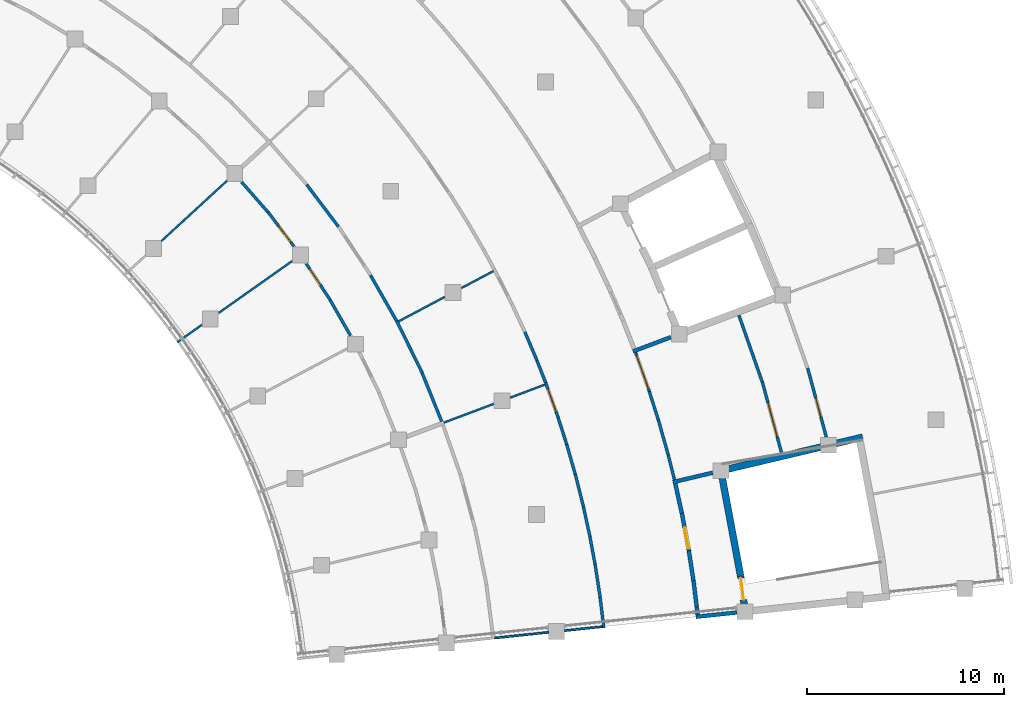
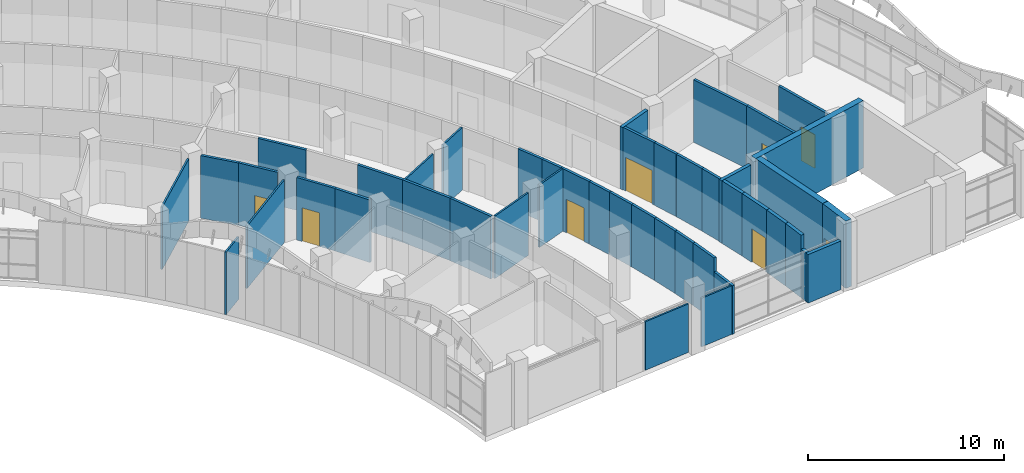
# One storey, part 66 of 137: 45 walls, 8 doors, 8 openings.
"""IFC4 building model written with IfcOpenShell, lengths in metres."""

from ifc_helpers import new_model, si_unit, direction, frame, frame_2d, origin, place, context, subcontext, project, spatial, rectangle, extrude, material, layer, layer_set, type_object, element, fill, save


model = new_model("IFC4")

# Units and contexts
model_context = context("Model", 3, precision=1e-05, world=origin(), true_north=direction((0.0, 1.0)))
body_context = subcontext(model_context, "Body", "Model", "MODEL_VIEW")
ifc_project = project(units=[si_unit("LENGTHUNIT", "METRE"), si_unit("AREAUNIT", "SQUARE_METRE"), si_unit("VOLUMEUNIT", "CUBIC_METRE"), si_unit("PLANEANGLEUNIT", "RADIAN"), si_unit("MASSUNIT", "GRAM", prefix="KILO")], contexts=[model_context])

# Site, building, storey
site_placement = place(None, origin())
site = spatial("IfcSite", under=ifc_project, at=site_placement, CompositionType="ELEMENT")
building_placement = place(site_placement, origin())
building = spatial("IfcBuilding", under=site, at=building_placement, Name="Bougainvillea Quay General Hospital", CompositionType="ELEMENT")
storey_placement = place(building_placement, frame((0.0, 0.0, 16.800048828125)))
storey = spatial("IfcBuildingStorey", under=building, at=storey_placement, Name="L03", CompositionType="ELEMENT", Elevation=16.800048828125)

# Walls
ifc_material_1 = material(Name="Gypsum board partition on steel studs", Category="steel")
ifc_layer_1 = layer(ifc_material_1, 0.10009765625)
ifc_layer_set_1 = layer_set([ifc_layer_1], Name="Gypsum board partition on steel studs")
wall_type_1 = type_object("IfcWallType", Name="Partition 100 Gypsum board partition", PredefinedType="PARTITIONING", material=ifc_layer_set_1)
wall_1_placement = place(storey_placement, frame((153.008544921875, 26.60791015625, 0.0), z_axis=(0.0, 0.0, 1.0), x_axis=(0.99452300046, 0.104517948486, 0.0)))
element("IfcWall", 1, at=wall_1_placement, inside=storey, type_object=wall_type_1, Name="Partition 100 mm", PredefinedType="PARTITIONING", context=body_context, shape_type="SweptSolid", body=[
    extrude(rectangle(XDim=2.742431640625, YDim=0.10009765625, at=frame_2d((1.37109375, 0.0))), origin(), (0.0, 0.0, 1.0), 3.030517578125),
])
wall_2_placement = place(storey_placement, frame((156.546142578125, 26.979736328125, 0.0), z_axis=(0.0, 0.0, 1.0), x_axis=(0.994518703868, 0.104558823905, 0.0)))
element("IfcWall", 2, at=wall_2_placement, inside=storey, type_object=wall_type_1, Name="Partition 100 mm", PredefinedType="PARTITIONING", context=body_context, shape_type="SweptSolid", body=[
    extrude(rectangle(XDim=1.9169921875, YDim=0.10009765625, at=frame_2d((0.95849609375, 0.0))), origin(), (0.0, 0.0, 1.0), 3.032470703125),
])
ifc_layer_2 = layer(ifc_material_1, 0.10009765625)
ifc_layer_set_2 = layer_set([ifc_layer_2], Name="Gypsum board partition on steel studs")
wall_type_2 = type_object("IfcWallType", Name="Partition 100 Gypsum board partition EI 30", PredefinedType="PARTITIONING", material=ifc_layer_set_2)
wall_3_placement = place(storey_placement, frame((136.92431640625, 41.59521484375, 0.0), z_axis=(0.0, 0.0, 1.0), x_axis=(0.816643847366, 0.577141946629, 0.0)))
element("IfcWall", 3, at=wall_3_placement, inside=storey, type_object=wall_type_2, Name="Partition 100 mm EI 30", PredefinedType="PARTITIONING", context=body_context, shape_type="SweptSolid", body=[
    extrude(rectangle(XDim=1.52490234375, YDim=0.10009765625, at=frame_2d((0.762451171875, 0.0))), origin(), (0.0, 0.0, 1.0), 3.89990234375),
])
wall_4_placement = place(storey_placement, frame((139.0263671875, 43.080810546875, 0.0), z_axis=(0.0, 0.0, 1.0), x_axis=(0.816637661001, 0.577150700108, 0.0)))
element("IfcWall", 4, at=wall_4_placement, inside=storey, type_object=wall_type_2, Name="Partition 100 mm EI 30", PredefinedType="PARTITIONING", context=body_context, shape_type="SweptSolid", body=[
    extrude(rectangle(XDim=4.55078125, YDim=0.10009765625, at=frame_2d((2.275390625, 0.0))), origin(), (0.0, 0.0, 1.0), 3.89990234375),
])
wall_5_placement = place(storey_placement, frame((136.111328125, 46.71484375, 0.0), z_axis=(0.0, 0.0, 1.0), x_axis=(0.736475017651, 0.676464742892, 0.0)))
element("IfcWall", 5, at=wall_5_placement, inside=storey, type_object=wall_type_2, Name="Partition 100 mm EI 30", PredefinedType="PARTITIONING", context=body_context, shape_type="SweptSolid", body=[
    extrude(rectangle(XDim=4.52392578125, YDim=0.10009765625, at=frame_2d((2.261962890625, 0.0))), origin(), (0.0, 0.0, 1.0), 3.89990234375),
])
wall_6_placement = place(storey_placement, frame((150.42724609375, 37.518798828125, 0.0), z_axis=(0.0, 0.0, 1.0), x_axis=(0.935894141782, 0.352281358262, 0.0)))
element("IfcWall", 6, at=wall_6_placement, inside=storey, type_object=wall_type_2, Name="Partition 100 mm EI 30", PredefinedType="PARTITIONING", context=body_context, shape_type="SweptSolid", body=[
    extrude(rectangle(XDim=2.702880859375, YDim=0.10009765625, at=frame_2d((1.3515625, 0.0))), origin(), (0.0, 0.0, 1.0), 3.89990234375),
])
wall_7_placement = place(storey_placement, frame((153.791259765625, 38.78515625, 0.0), z_axis=(0.0, 0.0, 1.0), x_axis=(0.935884008534, 0.35230827775, 0.0)))
element("IfcWall", 7, at=wall_7_placement, inside=storey, type_object=wall_type_2, Name="Partition 100 mm EI 30", PredefinedType="PARTITIONING", context=body_context, shape_type="SweptSolid", body=[
    extrude(rectangle(XDim=1.873779296875, YDim=0.10009765625, at=frame_2d((0.93701171875, 0.0))), origin(), (0.0, 0.0, 1.0), 3.89990234375),
])
wall_8_placement = place(storey_placement, frame((148.138671875, 42.65185546875, 0.0), z_axis=(0.0, 0.0, 1.0), x_axis=(0.883500310686, 0.468430572249, 0.0)))
element("IfcWall", 8, at=wall_8_placement, inside=storey, type_object=wall_type_2, Name="Partition 100 mm EI 30", PredefinedType="PARTITIONING", context=body_context, shape_type="SweptSolid", body=[
    extrude(rectangle(XDim=2.64453125, YDim=0.10009765625, at=frame_2d((1.322265625, 0.0))), origin(), (0.0, 0.0, 1.0), 3.89990234375),
])
wall_9_placement = place(storey_placement, frame((151.321044921875, 44.33935546875, 0.0), z_axis=(0.0, 0.0, 1.0), x_axis=(0.883507022745, 0.46841791251, 0.0)))
element("IfcWall", 9, at=wall_9_placement, inside=storey, type_object=wall_type_2, Name="Partition 100 mm EI 30", PredefinedType="PARTITIONING", context=body_context, shape_type="SweptSolid", body=[
    extrude(rectangle(XDim=1.84033203125, YDim=0.10009765625, at=frame_2d((0.920166015625, 0.0))), origin(), (0.0, 0.0, 1.0), 3.89990234375),
])

# Wall, opening, door
ifc_material_2 = material(Name="Gypsum board partition on steel studs, insulated", Category="steel")
ifc_layer_3 = layer(ifc_material_2, 0.14990234375)
ifc_layer_set_3 = layer_set([ifc_layer_3], Name="Gypsum board partition on steel studs, insulated")
wall_type_3 = type_object("IfcWallType", Name="Partition 150 Gypsum board partition EI 30", PredefinedType="PARTITIONING", material=ifc_layer_set_3)
wall_10_placement = place(storey_placement, frame((168.8623046875, 40.287353515625, 0.0), z_axis=(0.0, 0.0, 1.0), x_axis=(0.261268938462, -0.965266047157, 0.0)))
wall_10 = element("IfcWall", 10, at=wall_10_placement, inside=storey, type_object=wall_type_3, Name="Partition 150 mm EI 30", PredefinedType="PARTITIONING", context=body_context, shape_type="SweptSolid", body=[
    extrude(rectangle(XDim=3.621826171875, YDim=0.14990234375, at=frame_2d((1.81103515625, 0.0))), origin(), (0.0, 0.0, 1.0), 3.89990234375),
])
opening_1_placement = place(wall_10_placement, frame((1.565673828125, 0.0, 0.0)))
opening_1 = element("IfcOpeningElement", 11, at=opening_1_placement, cuts=wall_10, Name="Opening L03.186", PredefinedType="OPENING", context=body_context, shape_type="SweptSolid", body=[
    extrude(rectangle(XDim=1.0, YDim=2.10009765625, at=frame_2d((0.5, 1.050048828125))), frame((0.0, 0.0849609375, 0.0), z_axis=(0.0, -1.0, 0.0), x_axis=(1.0, 0.0, 0.0)), (0.0, 0.0, 1.0), 0.169921875),
])
ifc_material_3 = material(Name="Solid-core timber door leaf in steel frame", Category="steel")
door_type_1 = type_object("IfcDoorType", Name="Single leaf door 1000x2100 FD30S", OperationType="NOTDEFINED", PredefinedType="DOOR", material=ifc_material_3)
door_1_placement = place(opening_1_placement, origin())
door_1 = element("IfcDoor", 12, at=door_1_placement, inside=storey, type_object=door_type_1, Name="DT15 L03.186", OperationType="SINGLE_SWING_RIGHT", OverallHeight=2.10009765625, OverallWidth=1.0, PredefinedType="DOOR", context=body_context, shape_type="SweptSolid", body=[
    extrude(rectangle(XDim=1.0, YDim=2.10009765625, at=frame_2d((0.5, 1.050048828125))), frame((0.0, 0.02490234375, 0.0), z_axis=(0.0, -1.0, 0.0), x_axis=(1.0, 0.0, 0.0)), (0.0, 0.0, 1.0), 0.050048828125),
])
fill(opening_1, door_1)

wall_11_placement = place(storey_placement, frame((166.5673828125, 39.58642578125, 0.0), z_axis=(0.0, 0.0, 1.0), x_axis=(0.261225938755, -0.965277684877, 0.0)))
wall_11 = element("IfcWall", 13, at=wall_11_placement, inside=storey, type_object=wall_type_3, Name="Partition 150 mm EI 30", PredefinedType="PARTITIONING", context=body_context, shape_type="SweptSolid", body=[
    extrude(rectangle(XDim=3.725341796875, YDim=0.14990234375, at=frame_2d((1.86279296875, 0.0))), origin(), (0.0, 0.0, 1.0), 3.89990234375),
])
opening_2_placement = place(wall_11_placement, frame((1.089111328125, 0.0, 0.0)))
opening_2 = element("IfcOpeningElement", 14, at=opening_2_placement, cuts=wall_11, Name="Opening L03.147", PredefinedType="OPENING", context=body_context, shape_type="SweptSolid", body=[
    extrude(rectangle(XDim=1.800048828125, YDim=2.10009765625, at=frame_2d((0.89990234375, 1.050048828125))), frame((0.0, 0.0849609375, 0.0), z_axis=(0.0, -1.0, 0.0), x_axis=(1.0, 0.0, 0.0)), (0.0, 0.0, 1.0), 0.169921875),
])
ifc_material_4 = material(Name="Solid-core timber door leaves in steel frame", Category="steel")
door_type_2 = type_object("IfcDoorType", Name="Double leaf door 1800x2100", OperationType="DOUBLE_DOOR_SINGLE_SWING", PredefinedType="DOOR", material=ifc_material_4)
door_2_placement = place(opening_2_placement, origin())
door_2 = element("IfcDoor", 15, at=door_2_placement, inside=storey, type_object=door_type_2, Name="DT08 L03.147", OperationType="DOUBLE_DOOR_SINGLE_SWING", OverallHeight=2.10009765625, OverallWidth=1.800048828125, PredefinedType="DOOR", context=body_context, shape_type="SweptSolid", body=[
    extrude(rectangle(XDim=1.800048828125, YDim=2.10009765625, at=frame_2d((0.89990234375, 1.050048828125))), frame((0.0, 0.02490234375, 0.0), z_axis=(0.0, -1.0, 0.0), x_axis=(1.0, 0.0, 0.0)), (0.0, 0.0, 1.0), 0.050048828125),
])
fill(opening_2, door_2)

# Walls
wall_12_placement = place(storey_placement, frame((165.38037109375, 42.959716796875, 0.0), z_axis=(0.0, 0.0, 1.0), x_axis=(0.330508329073, -0.943803075018, 0.0)))
element("IfcWall", 16, at=wall_12_placement, inside=storey, type_object=wall_type_3, Name="Partition 150 mm EI 30", PredefinedType="PARTITIONING", context=body_context, shape_type="SweptSolid", body=[
    extrude(rectangle(XDim=3.5810546875, YDim=0.14990234375, at=frame_2d((1.79052734375, 0.0))), origin(), (0.0, 0.0, 1.0), 3.89990234375),
])
wall_13_placement = place(storey_placement, frame((148.0380859375, 42.683349609375, 0.0), z_axis=(0.0, 0.0, 1.0), x_axis=(0.440200278942, -0.897899612663, 0.0)))
element("IfcWall", 17, at=wall_13_placement, inside=storey, type_object=wall_type_3, Name="Partition 150 mm EI 30", PredefinedType="PARTITIONING", context=body_context, shape_type="SweptSolid", body=[
    extrude(rectangle(XDim=2.957763671875, YDim=0.14990234375, at=frame_2d((1.47900390625, 0.0))), origin(), (0.0, 0.0, 1.0), 3.89990234375),
])
wall_14_placement = place(storey_placement, frame((146.712890625, 44.991943359375, 0.0), z_axis=(0.0, 0.0, 1.0), x_axis=(0.49622768999, -0.868192420888, 0.0)))
element("IfcWall", 18, at=wall_14_placement, inside=storey, type_object=wall_type_3, Name="Partition 150 mm EI 30", PredefinedType="PARTITIONING", context=body_context, shape_type="SweptSolid", body=[
    extrude(rectangle(XDim=2.666015625, YDim=0.14990234375, at=frame_2d((1.3330078125, 0.0))), origin(), (0.0, 0.0, 1.0), 3.89990234375),
])
wall_15_placement = place(storey_placement, frame((149.3330078125, 40.0302734375, 0.0), z_axis=(0.0, 0.0, 1.0), x_axis=(0.373865497673, -0.927482932269, 0.0)))
element("IfcWall", 19, at=wall_15_placement, inside=storey, type_object=wall_type_3, Name="Partition 150 mm EI 30", PredefinedType="PARTITIONING", context=body_context, shape_type="SweptSolid", body=[
    extrude(rectangle(XDim=2.635009765625, YDim=0.14990234375, at=frame_2d((1.3173828125, 0.0))), origin(), (0.0, 0.0, 1.0), 3.89990234375),
])
wall_16_placement = place(storey_placement, frame((143.481201171875, 49.579345703125, 0.0), z_axis=(0.0, 0.0, 1.0), x_axis=(0.602824021104, -0.797874175281, 0.0)))
element("IfcWall", 20, at=wall_16_placement, inside=storey, type_object=wall_type_3, Name="Partition 150 mm EI 30", PredefinedType="PARTITIONING", context=body_context, shape_type="SweptSolid", body=[
    extrude(rectangle(XDim=2.666015625, YDim=0.14990234375, at=frame_2d((1.3330078125, 0.0))), origin(), (0.0, 0.0, 1.0), 3.89990234375),
])

# Wall, opening, door
wall_17_placement = place(storey_placement, frame((141.52587890625, 48.187744140625, 0.0), z_axis=(0.0, 0.0, 1.0), x_axis=(0.60280129331, -0.797891346477, 0.0)))
wall_17 = element("IfcWall", 21, at=wall_17_placement, inside=storey, type_object=wall_type_3, Name="Partition 150 mm EI 30", PredefinedType="PARTITIONING", context=body_context, shape_type="SweptSolid", body=[
    extrude(rectangle(XDim=2.17236328125, YDim=0.14990234375, at=frame_2d((1.086181640625, 0.0))), origin(), (0.0, 0.0, 1.0), 3.89990234375),
])
opening_3_placement = place(wall_17_placement, frame((0.902099609375, 0.0, 0.0)))
opening_3 = element("IfcOpeningElement", 22, at=opening_3_placement, cuts=wall_17, Name="Opening L03.192", PredefinedType="OPENING", context=body_context, shape_type="SweptSolid", body=[
    extrude(rectangle(XDim=1.0, YDim=2.10009765625, at=frame_2d((0.5, 1.050048828125))), frame((0.0, 0.0849609375, 0.0), z_axis=(0.0, -1.0, 0.0), x_axis=(1.0, 0.0, 0.0)), (0.0, 0.0, 1.0), 0.169921875),
])
door_3_placement = place(opening_3_placement, frame((1.0, 0.0, 0.0), z_axis=(0.0, 0.0, 1.0), x_axis=(-1.0, 0.0, 0.0)))
door_3 = element("IfcDoor", 23, at=door_3_placement, inside=storey, type_object=door_type_1, Name="DT15 L03.192", OperationType="SINGLE_SWING_LEFT", OverallHeight=2.10009765625, OverallWidth=1.0, PredefinedType="DOOR", context=body_context, shape_type="SweptSolid", body=[
    extrude(rectangle(XDim=1.0, YDim=2.10009765625, at=frame_2d((0.5, 1.050048828125))), frame((0.0, 0.02490234375, 0.0), z_axis=(0.0, -1.0, 0.0), x_axis=(1.0, 0.0, 0.0)), (0.0, 0.0, 1.0), 0.050048828125),
])
fill(opening_3, door_3)

wall_18_placement = place(storey_placement, frame((143.461669921875, 45.569580078125, 0.0), z_axis=(0.0, 0.0, 1.0), x_axis=(0.550880835548, -0.834583911315, 0.0)))
wall_18 = element("IfcWall", 24, at=wall_18_placement, inside=storey, type_object=wall_type_3, Name="Partition 150 mm EI 30", PredefinedType="PARTITIONING", context=body_context, shape_type="SweptSolid", body=[
    extrude(rectangle(XDim=2.201171875, YDim=0.14990234375, at=frame_2d((1.1005859375, 0.0))), origin(), (0.0, 0.0, 1.0), 3.89990234375),
])
opening_4_placement = place(wall_18_placement, frame((0.29931640625, 0.0, 0.0)))
opening_4 = element("IfcOpeningElement", 25, at=opening_4_placement, cuts=wall_18, Name="Opening L03.193", PredefinedType="OPENING", context=body_context, shape_type="SweptSolid", body=[
    extrude(rectangle(XDim=1.0, YDim=2.10009765625, at=frame_2d((0.5, 1.050048828125))), frame((0.0, 0.0849609375, 0.0), z_axis=(0.0, -1.0, 0.0), x_axis=(1.0, 0.0, 0.0)), (0.0, 0.0, 1.0), 0.169921875),
])
door_4_placement = place(opening_4_placement, frame((1.0, 0.0, 0.0), z_axis=(0.0, 0.0, 1.0), x_axis=(-1.0, 0.0, 0.0)))
door_4 = element("IfcDoor", 26, at=door_4_placement, inside=storey, type_object=door_type_1, Name="DT15 L03.193", OperationType="SINGLE_SWING_RIGHT", OverallHeight=2.10009765625, OverallWidth=1.0, PredefinedType="DOOR", context=body_context, shape_type="SweptSolid", body=[
    extrude(rectangle(XDim=1.0, YDim=2.10009765625, at=frame_2d((0.5, 1.050048828125))), frame((0.0, 0.02490234375, 0.0), z_axis=(0.0, -1.0, 0.0), x_axis=(1.0, 0.0, 0.0)), (0.0, 0.0, 1.0), 0.050048828125),
])
fill(opening_4, door_4)

# Walls
wall_19_placement = place(storey_placement, frame((144.66796875, 43.73388671875, 0.0), z_axis=(0.0, 0.0, 1.0), x_axis=(0.496694973164, -0.867925171679, 0.0)))
element("IfcWall", 27, at=wall_19_placement, inside=storey, type_object=wall_type_3, Name="Partition 150 mm EI 30", PredefinedType="PARTITIONING", context=body_context, shape_type="SweptSolid", body=[
    extrude(rectangle(XDim=2.080078125, YDim=0.14990234375, at=frame_2d((1.0400390625, 0.0))), origin(), (0.0, 0.0, 1.0), 3.89990234375),
])
wall_20_placement = place(storey_placement, frame((140.18359375, 49.71044921875, 0.0), z_axis=(0.0, 0.0, 1.0), x_axis=(0.659209376091, -0.751959439381, 0.0)))
element("IfcWall", 28, at=wall_20_placement, inside=storey, type_object=wall_type_3, Name="Partition 150 mm EI 30", PredefinedType="PARTITIONING", context=body_context, shape_type="SweptSolid", body=[
    extrude(rectangle(XDim=2.03466796875, YDim=0.14990234375, at=frame_2d((1.017333984375, 0.0))), origin(), (0.0, 0.0, 1.0), 3.89990234375),
])

# Wall, opening, door
wall_21_placement = place(storey_placement, frame((160.146240234375, 41.068115234375, 0.0), z_axis=(0.0, 0.0, 1.0), x_axis=(0.334170983673, -0.942512468708, 0.0)))
wall_21 = element("IfcWall", 29, at=wall_21_placement, inside=storey, type_object=wall_type_3, Name="Partition 150 mm EI 30", PredefinedType="PARTITIONING", context=body_context, shape_type="SweptSolid", body=[
    extrude(rectangle(XDim=2.079345703125, YDim=0.14990234375, at=frame_2d((1.03955078125, 0.0))), origin(), (0.0, 0.0, 1.0), 3.89990234375),
])
opening_5_placement = place(wall_21_placement, frame((0.15087890625, 0.0, 0.0)))
opening_5 = element("IfcOpeningElement", 30, at=opening_5_placement, cuts=wall_21, Name="Opening L03.161", PredefinedType="OPENING", context=body_context, shape_type="SweptSolid", body=[
    extrude(rectangle(XDim=1.800048828125, YDim=2.10009765625, at=frame_2d((0.89990234375, 1.050048828125))), frame((0.0, 0.0849609375, 0.0), z_axis=(0.0, -1.0, 0.0), x_axis=(1.0, 0.0, 0.0)), (0.0, 0.0, 1.0), 0.169921875),
])
door_5_placement = place(opening_5_placement, frame((1.800048828125, 0.0, 0.0), z_axis=(0.0, 0.0, 1.0), x_axis=(-1.0, 0.0, 0.0)))
door_5 = element("IfcDoor", 31, at=door_5_placement, inside=storey, type_object=door_type_2, Name="DT08 L03.161", OperationType="DOUBLE_DOOR_SINGLE_SWING", OverallHeight=2.10009765625, OverallWidth=1.800048828125, PredefinedType="DOOR", context=body_context, shape_type="SweptSolid", body=[
    extrude(rectangle(XDim=1.800048828125, YDim=2.10009765625, at=frame_2d((0.89990234375, 1.050048828125))), frame((0.0, 0.02490234375, 0.0), z_axis=(0.0, -1.0, 0.0), x_axis=(1.0, 0.0, 0.0)), (0.0, 0.0, 1.0), 0.050048828125),
])
fill(opening_5, door_5)

wall_22_placement = place(storey_placement, frame((155.5908203125, 39.54248046875, 0.0), z_axis=(0.0, 0.0, 1.0), x_axis=(0.336874131091, -0.941549690564, 0.0)))
wall_22 = element("IfcWall", 32, at=wall_22_placement, inside=storey, type_object=wall_type_3, Name="Partition 150 mm EI 30", PredefinedType="PARTITIONING", context=body_context, shape_type="SweptSolid", body=[
    extrude(rectangle(XDim=1.89794921875, YDim=0.14990234375, at=frame_2d((0.948974609375, 0.0))), origin(), (0.0, 0.0, 1.0), 3.89990234375),
])
opening_6_placement = place(wall_22_placement, frame((0.34912109375, 0.0, 0.0)))
opening_6 = element("IfcOpeningElement", 33, at=opening_6_placement, cuts=wall_22, Name="Opening L03.164", PredefinedType="OPENING", context=body_context, shape_type="SweptSolid", body=[
    extrude(rectangle(XDim=1.199951171875, YDim=2.10009765625, at=frame_2d((0.60009765625, 1.050048828125))), frame((0.0, 0.0849609375, 0.0), z_axis=(0.0, -1.0, 0.0), x_axis=(1.0, 0.0, 0.0)), (0.0, 0.0, 1.0), 0.169921875),
])
door_type_3 = type_object("IfcDoorType", Name="Single leaf door 1200x2100", OperationType="NOTDEFINED", PredefinedType="DOOR", material=ifc_material_3)
door_6_placement = place(opening_6_placement, origin())
door_6 = element("IfcDoor", 34, at=door_6_placement, inside=storey, type_object=door_type_3, Name="DT13 L03.164", OperationType="SINGLE_SWING_RIGHT", OverallHeight=2.10009765625, OverallWidth=1.199951171875, PredefinedType="DOOR", context=body_context, shape_type="SweptSolid", body=[
    extrude(rectangle(XDim=1.199951171875, YDim=2.10009765625, at=frame_2d((0.60009765625, 1.050048828125))), frame((0.0, 0.02490234375, 0.0), z_axis=(0.0, -1.0, 0.0), x_axis=(1.0, 0.0, 0.0)), (0.0, 0.0, 1.0), 0.050048828125),
])
fill(opening_6, door_6)

# Walls
wall_23_placement = place(storey_placement, frame((161.302490234375, 37.647216796875, 0.0), z_axis=(0.0, 0.0, 1.0), x_axis=(0.271536076628, -0.962428261789, 0.0)))
element("IfcWall", 35, at=wall_23_placement, inside=storey, type_object=wall_type_3, Name="Partition 150 mm EI 30", PredefinedType="PARTITIONING", context=body_context, shape_type="SweptSolid", body=[
    extrude(rectangle(XDim=1.833251953125, YDim=0.14990234375, at=frame_2d((0.91650390625, 0.0))), origin(), (0.0, 0.0, 1.0), 3.89990234375),
])
wall_24_placement = place(storey_placement, frame((160.837890625, 39.10986328125, 0.0), z_axis=(0.0, 0.0, 1.0), x_axis=(0.301321411033, -0.953522630698, 0.0)))
element("IfcWall", 36, at=wall_24_placement, inside=storey, type_object=wall_type_3, Name="Partition 150 mm EI 30", PredefinedType="PARTITIONING", context=body_context, shape_type="SweptSolid", body=[
    extrude(rectangle(XDim=1.537109375, YDim=0.14990234375, at=frame_2d((0.7685546875, 0.0))), origin(), (0.0, 0.0, 1.0), 3.89990234375),
])
wall_25_placement = place(storey_placement, frame((154.533447265625, 42.114990234375, 0.0), z_axis=(0.0, 0.0, 1.0), x_axis=(0.39261681237, -0.9197021467, 0.0)))
element("IfcWall", 37, at=wall_25_placement, inside=storey, type_object=wall_type_3, Name="Partition 150 mm EI 30", PredefinedType="PARTITIONING", context=body_context, shape_type="SweptSolid", body=[
    extrude(rectangle(XDim=1.5615234375, YDim=0.14990234375, at=frame_2d((0.78076171875, 0.0))), origin(), (0.0, 0.0, 1.0), 3.89990234375),
])
wall_26_placement = place(storey_placement, frame((157.088623046875, 34.914794921875, 0.0), z_axis=(0.0, 0.0, 1.0), x_axis=(0.243846269547, -0.969813898038, 0.0)))
element("IfcWall", 38, at=wall_26_placement, inside=storey, type_object=wall_type_3, Name="Partition 150 mm EI 30", PredefinedType="PARTITIONING", context=body_context, shape_type="SweptSolid", body=[
    extrude(rectangle(XDim=1.708984375, YDim=0.14990234375, at=frame_2d((0.8544921875, 0.0))), origin(), (0.0, 0.0, 1.0), 3.89990234375),
])
wall_27_placement = place(storey_placement, frame((157.50244140625, 33.2587890625, 0.0), z_axis=(0.0, 0.0, 1.0), x_axis=(0.213617594112, -0.976917357552, 0.0)))
element("IfcWall", 39, at=wall_27_placement, inside=storey, type_object=wall_type_3, Name="Partition 150 mm EI 30", PredefinedType="PARTITIONING", context=body_context, shape_type="SweptSolid", body=[
    extrude(rectangle(XDim=1.561279296875, YDim=0.14990234375, at=frame_2d((0.78076171875, 0.0))), origin(), (0.0, 0.0, 1.0), 3.89990234375),
])
wall_28_placement = place(storey_placement, frame((158.092529296875, 30.34912109375, 0.0), z_axis=(0.0, 0.0, 1.0), x_axis=(0.15143450376, -0.98846729388, 0.0)))
element("IfcWall", 40, at=wall_28_placement, inside=storey, type_object=wall_type_3, Name="Partition 150 mm EI 30", PredefinedType="PARTITIONING", context=body_context, shape_type="SweptSolid", body=[
    extrude(rectangle(XDim=1.708984375, YDim=0.14990234375, at=frame_2d((0.8544921875, 0.0))), origin(), (0.0, 0.0, 1.0), 3.89990234375),
])
wall_29_placement = place(storey_placement, frame((156.658447265625, 36.4130859375, 0.0), z_axis=(0.0, 0.0, 1.0), x_axis=(0.27445261009, -0.961600626463, 0.0)))
element("IfcWall", 41, at=wall_29_placement, inside=storey, type_object=wall_type_3, Name="Partition 150 mm EI 30", PredefinedType="PARTITIONING", context=body_context, shape_type="SweptSolid", body=[
    extrude(rectangle(XDim=1.561279296875, YDim=0.14990234375, at=frame_2d((0.78076171875, 0.0))), origin(), (0.0, 0.0, 1.0), 3.89990234375),
])
wall_30_placement = place(storey_placement, frame((156.22705078125, 37.7568359375, 0.0), z_axis=(0.0, 0.0, 1.0), x_axis=(0.304180257637, -0.95261449226, 0.0)))
element("IfcWall", 42, at=wall_30_placement, inside=storey, type_object=wall_type_3, Name="Partition 150 mm EI 30", PredefinedType="PARTITIONING", context=body_context, shape_type="SweptSolid", body=[
    extrude(rectangle(XDim=1.413330078125, YDim=0.14990234375, at=frame_2d((0.70654296875, 0.0))), origin(), (0.0, 0.0, 1.0), 3.89990234375),
])
wall_31_placement = place(storey_placement, frame((157.833251953125, 31.735595703125, 0.0), z_axis=(0.0, 0.0, 1.0), x_axis=(0.182305830885, -0.98324187463, 0.0)))
element("IfcWall", 43, at=wall_31_placement, inside=storey, type_object=wall_type_3, Name="Partition 150 mm EI 30", PredefinedType="PARTITIONING", context=body_context, shape_type="SweptSolid", body=[
    extrude(rectangle(XDim=1.412841796875, YDim=0.14990234375, at=frame_2d((0.70654296875, 0.0))), origin(), (0.0, 0.0, 1.0), 3.89990234375),
])
wall_32_placement = place(storey_placement, frame((158.348876953125, 28.661865234375, 0.0), z_axis=(0.0, 0.0, 1.0), x_axis=(0.120681951102, -0.992691224238, 0.0)))
element("IfcWall", 44, at=wall_32_placement, inside=storey, type_object=wall_type_3, Name="Partition 150 mm EI 30", PredefinedType="PARTITIONING", context=body_context, shape_type="SweptSolid", body=[
    extrude(rectangle(XDim=1.559814453125, YDim=0.14990234375, at=frame_2d((0.77978515625, 0.0))), origin(), (0.0, 0.0, 1.0), 3.032470703125),
])
wall_33_placement = place(storey_placement, frame((161.797607421875, 35.88427734375, 0.0), z_axis=(0.0, 0.0, 1.0), x_axis=(0.243023571224, -0.970020383203, 0.0)))
element("IfcWall", 45, at=wall_33_placement, inside=storey, type_object=wall_type_3, Name="Partition 150 mm EI 30", PredefinedType="PARTITIONING", context=body_context, shape_type="SweptSolid", body=[
    extrude(rectangle(XDim=1.294921875, YDim=0.14990234375, at=frame_2d((0.6474609375, 0.0))), origin(), (0.0, 0.0, 1.0), 3.89990234375),
])
wall_34_placement = place(storey_placement, frame((155.1435546875, 40.68017578125, 0.0), z_axis=(0.0, 0.0, 1.0), x_axis=(0.364264029016, -0.931295719503, 0.0)))
element("IfcWall", 46, at=wall_34_placement, inside=storey, type_object=wall_type_3, Name="Partition 150 mm EI 30", PredefinedType="PARTITIONING", context=body_context, shape_type="SweptSolid", body=[
    extrude(rectangle(XDim=1.224609375, YDim=0.14990234375, at=frame_2d((0.6123046875, 0.0))), origin(), (0.0, 0.0, 1.0), 3.89990234375),
])
ifc_material_5 = material(Name="Fire-rated autoclaved aerated block wall, plastered")
ifc_layer_4 = layer(ifc_material_5, 0.199951171875)
ifc_layer_set_4 = layer_set([ifc_layer_4], Name="Fire-rated autoclaved aerated block wall, plastered")
wall_type_4 = type_object("IfcWallType", Name="Partition 200 Fire-rated autoclaved aerated block wall EI 120", PredefinedType="SOLIDWALL", material=ifc_layer_set_4)
wall_35_placement = place(storey_placement, frame((162.039794921875, 34.506103515625, 0.0), z_axis=(0.0, 0.0, 1.0), x_axis=(0.973117236519, 0.230310321066, 0.0)))
element("IfcWall", 47, at=wall_35_placement, inside=storey, type_object=wall_type_4, Name="Partition 200 mm EI 120", PredefinedType="SOLIDWALL", context=body_context, shape_type="SweptSolid", body=[
    extrude(rectangle(XDim=2.06591796875, YDim=0.199951171875, at=frame_2d((1.032958984375, 0.0))), origin(), (0.0, 0.0, 1.0), 3.89990234375),
])
wall_36_placement = place(storey_placement, frame((160.018310546875, 41.1298828125, 0.0), z_axis=(0.0, 0.0, 1.0), x_axis=(0.935835444075, 0.352437259115, 0.0)))
element("IfcWall", 48, at=wall_36_placement, inside=storey, type_object=wall_type_4, Name="Partition 200 mm EI 120", PredefinedType="SOLIDWALL", context=body_context, shape_type="SweptSolid", body=[
    extrude(rectangle(XDim=2.035888671875, YDim=0.199951171875, at=frame_2d((1.01806640625, 0.0))), origin(), (0.0, 0.0, 1.0), 3.89990234375),
])
wall_37_placement = place(storey_placement, frame((163.202392578125, 27.679443359375, 0.0), z_axis=(0.0, 0.0, 1.0), x_axis=(0.994514424739, 0.104599517143, 0.0)))
element("IfcWall", 49, at=wall_37_placement, inside=storey, type_object=wall_type_4, Name="Partition 200 mm EI 120", PredefinedType="SOLIDWALL", context=body_context, shape_type="SweptSolid", body=[
    extrude(rectangle(XDim=2.086669921875, YDim=0.199951171875, at=frame_2d((1.04345703125, 0.0))), origin(), (0.0, 0.0, 1.0), 3.032470703125),
])
wall_38_placement = place(storey_placement, frame((163.0810546875, 29.51220703125, 0.0), z_axis=(0.0, 0.0, 1.0), x_axis=(0.120429752648, -0.992721851617, 0.0)))
element("IfcWall", 50, at=wall_38_placement, inside=storey, type_object=wall_type_4, Name="Partition 200 mm EI 120", PredefinedType="SOLIDWALL", context=body_context, shape_type="SweptSolid", body=[
    extrude(rectangle(XDim=1.333984375, YDim=0.199951171875, at=frame_2d((0.6669921875, 0.0))), origin(), (0.0, 0.0, 1.0), 3.89990234375),
])
wall_39_placement = place(storey_placement, frame((163.24169921875, 28.18798828125, 0.0), z_axis=(0.0, 0.0, 1.0), x_axis=(0.120203810286, -0.992749235201, 0.0)))
element("IfcWall", 51, at=wall_39_placement, inside=storey, type_object=wall_type_4, Name="Partition 200 mm EI 120", PredefinedType="SOLIDWALL", context=body_context, shape_type="SweptSolid", body=[
    extrude(rectangle(XDim=0.400146484375, YDim=0.199951171875, at=frame_2d((0.2001953125, 0.0))), origin(), (0.0, 0.0, 1.0), 3.032470703125),
])

# Wall, opening, door
wall_40_placement = place(storey_placement, frame((162.49169921875, 32.932373046875, 0.0), z_axis=(0.0, 0.0, 1.0), x_axis=(0.183778259652, -0.982967726469, 0.0)))
wall_40 = element("IfcWall", 52, at=wall_40_placement, inside=storey, type_object=wall_type_4, Name="Partition 200 mm EI 120", PredefinedType="SOLIDWALL", context=body_context, shape_type="SweptSolid", body=[
    extrude(rectangle(XDim=1.935546875, YDim=0.199951171875, at=frame_2d((0.9677734375, 0.0))), origin(), (0.0, 0.0, 1.0), 3.89990234375),
])
opening_7_placement = place(wall_40_placement, frame((0.735595703125, 0.0, 0.0)))
opening_7 = element("IfcOpeningElement", 53, at=opening_7_placement, cuts=wall_40, Name="Opening L03.234", PredefinedType="OPENING", context=body_context, shape_type="SweptSolid", body=[
    extrude(rectangle(XDim=1.10009765625, YDim=2.10009765625, at=frame_2d((0.550048828125, 1.050048828125))), frame((0.0, 0.10986328125, 0.0), z_axis=(0.0, -1.0, 0.0), x_axis=(1.0, 0.0, 0.0)), (0.0, 0.0, 1.0), 0.219970703125),
])
ifc_material_6 = material(Name="Steel fire door leaf in steel frame", Category="steel")
door_type_4 = type_object("IfcDoorType", Name="Steel single leaf door 1100x2100 FD60", OperationType="NOTDEFINED", PredefinedType="DOOR", material=ifc_material_6)
door_7_placement = place(opening_7_placement, origin())
door_7 = element("IfcDoor", 54, at=door_7_placement, inside=storey, type_object=door_type_4, Name="DT04 L03.234", OperationType="SINGLE_SWING_RIGHT", OverallHeight=2.10009765625, OverallWidth=1.10009765625, PredefinedType="DOOR", context=body_context, shape_type="SweptSolid", body=[
    extrude(rectangle(XDim=1.10009765625, YDim=2.10009765625, at=frame_2d((0.550048828125, 1.050048828125))), frame((0.0, 0.02490234375, 0.0), z_axis=(0.0, -1.0, 0.0), x_axis=(1.0, 0.0, 0.0)), (0.0, 0.0, 1.0), 0.050048828125),
])
fill(opening_7, door_7)

# Walls
wall_41_placement = place(storey_placement, frame((162.15869140625, 34.4296875, 0.0), z_axis=(0.0, 0.0, 1.0), x_axis=(0.215079958229, -0.976596442533, 0.0)))
element("IfcWall", 55, at=wall_41_placement, inside=storey, type_object=wall_type_4, Name="Partition 200 mm EI 120", PredefinedType="SOLIDWALL", context=body_context, shape_type="SweptSolid", body=[
    extrude(rectangle(XDim=1.536865234375, YDim=0.199951171875, at=frame_2d((0.7685546875, 0.0))), origin(), (0.0, 0.0, 1.0), 3.89990234375),
])
wall_42_placement = place(storey_placement, frame((162.84375, 31.0322265625, 0.0), z_axis=(0.0, 0.0, 1.0), x_axis=(0.152211909299, -0.9883478814, 0.0)))
element("IfcWall", 56, at=wall_42_placement, inside=storey, type_object=wall_type_4, Name="Partition 200 mm EI 120", PredefinedType="SOLIDWALL", context=body_context, shape_type="SweptSolid", body=[
    extrude(rectangle(XDim=1.54150390625, YDim=0.199951171875, at=frame_2d((0.770751953125, 0.0))), origin(), (0.0, 0.0, 1.0), 3.89990234375),
])
ifc_material_7 = material(Name="Concrete C40", Category="concrete")
ifc_layer_5 = layer(ifc_material_7, 0.35009765625)
ifc_layer_set_5 = layer_set([ifc_layer_5], Name="Concrete C40")
wall_type_5 = type_object("IfcWallType", Name="RC SHEAR WALL 350 C40", PredefinedType="SHEAR", material=ifc_layer_set_5)
wall_43_placement = place(storey_placement, frame((164.302734375, 35.041748046875, 0.0), z_axis=(0.0, 0.0, 1.0), x_axis=(0.973093454504, 0.230410782737, 0.0)))
element("IfcWall", 57, at=wall_43_placement, inside=storey, type_object=wall_type_5, Name="Shear wall L03", PredefinedType="SHEAR", context=body_context, shape_type="SweptSolid", body=[
    extrude(rectangle(XDim=7.549560546875, YDim=0.35009765625, at=frame_2d((3.77490234375, 0.0))), origin(), (0.0, 0.0, 1.0), 4.199951171875),
])

# Wall, opening, door
wall_44_placement = place(storey_placement, frame((165.470703125, 29.734375, 0.0), z_axis=(0.0, 0.0, 1.0), x_axis=(0.12025777275, -0.992742699844, 0.0)))
wall_44 = element("IfcWall", 58, at=wall_44_placement, inside=storey, type_object=wall_type_5, Name="Shear wall L03", PredefinedType="SHEAR", context=body_context, shape_type="SweptSolid", body=[
    extrude(rectangle(XDim=1.9814453125, YDim=0.35009765625, at=frame_2d((0.99072265625, 0.0))), origin(), (0.0, 0.0, 1.0), 4.199951171875),
])
opening_8_placement = place(wall_44_placement, frame((0.10009765625, 0.0, 0.0)))
opening_8 = element("IfcOpeningElement", 59, at=opening_8_placement, cuts=wall_44, Name="Opening L03.233", PredefinedType="OPENING", context=body_context, shape_type="SweptSolid", body=[
    extrude(rectangle(XDim=1.10009765625, YDim=2.10009765625, at=frame_2d((0.550048828125, 1.050048828125))), frame((0.0, 0.18505859375, 0.0), z_axis=(0.0, -1.0, 0.0), x_axis=(1.0, 0.0, 0.0)), (0.0, 0.0, 1.0), 0.3701171875),
])
door_8_placement = place(opening_8_placement, origin())
door_8 = element("IfcDoor", 60, at=door_8_placement, inside=storey, type_object=door_type_4, Name="DT04 L03.233", OperationType="SINGLE_SWING_LEFT", OverallHeight=2.10009765625, OverallWidth=1.10009765625, PredefinedType="DOOR", context=body_context, shape_type="SweptSolid", body=[
    extrude(rectangle(XDim=1.10009765625, YDim=2.10009765625, at=frame_2d((0.550048828125, 1.050048828125))), frame((0.0, 0.02490234375, 0.0), z_axis=(0.0, -1.0, 0.0), x_axis=(1.0, 0.0, 0.0)), (0.0, 0.0, 1.0), 0.050048828125),
])
fill(opening_8, door_8)

# Wall
wall_45_placement = place(storey_placement, frame((165.468994140625, 29.74560546875, 0.0), z_axis=(0.0, 0.0, 1.0), x_axis=(-0.183471964923, 0.98302494276, 0.0)))
element("IfcWall", 61, at=wall_45_placement, inside=storey, type_object=wall_type_5, Name="Shear wall L03", PredefinedType="SHEAR", context=body_context, shape_type="SweptSolid", body=[
    extrude(rectangle(XDim=5.25341796875, YDim=0.35009765625, at=frame_2d((2.626708984375, 0.0))), origin(), (0.0, 0.0, 1.0), 4.199951171875),
])

save(model, "model.ifc")
